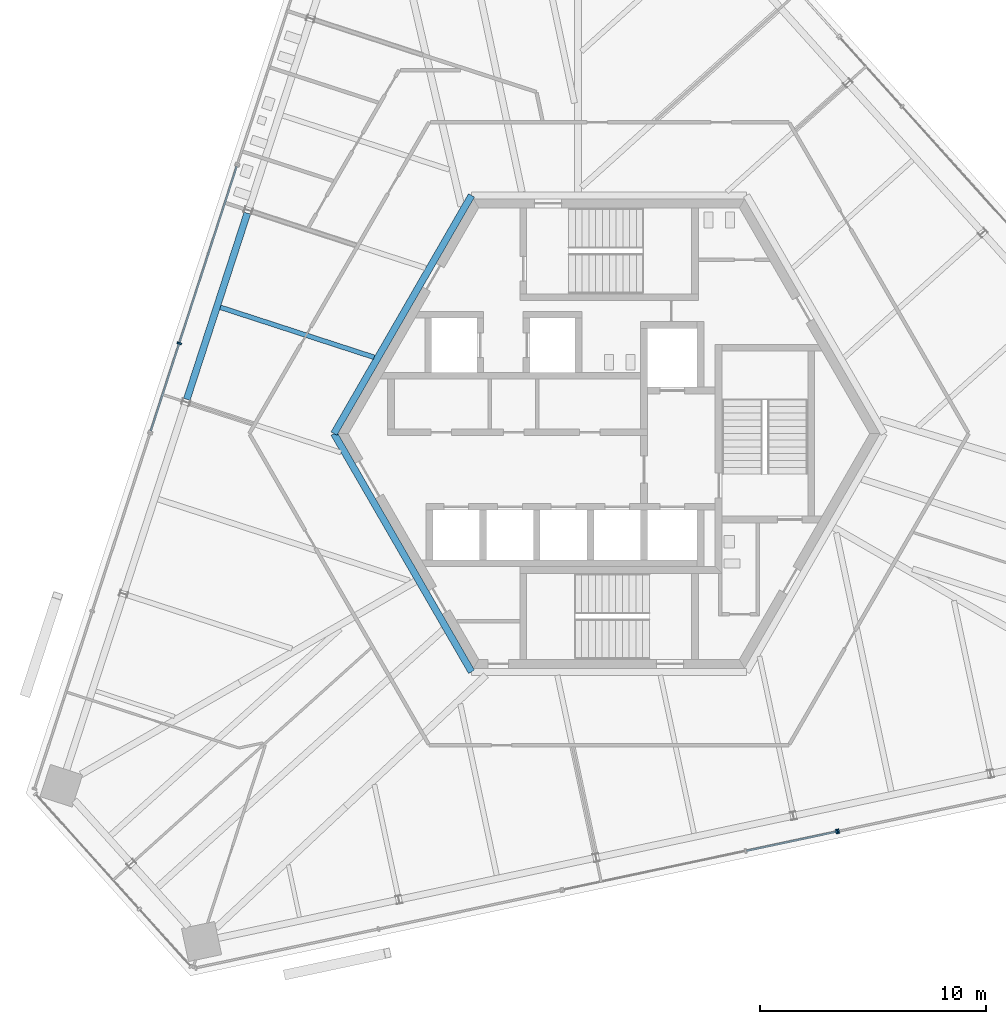
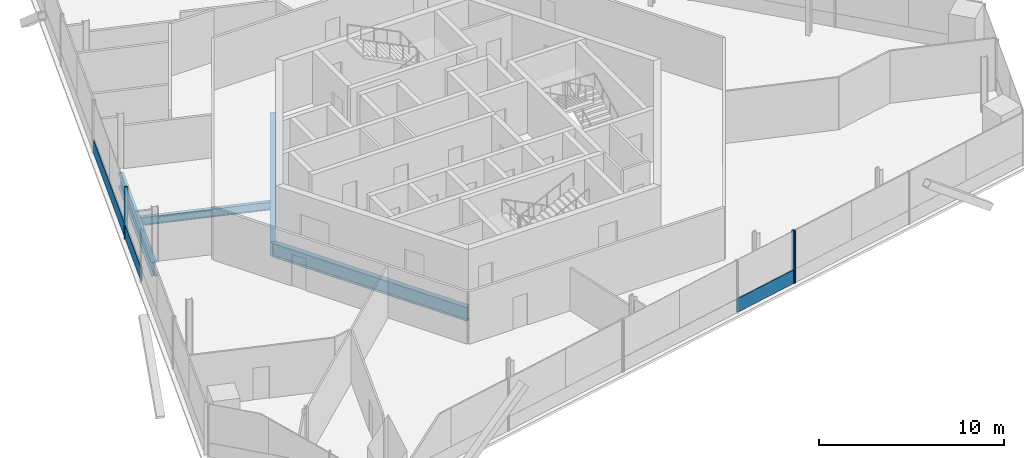
# One storey, part 5 of 14: 6 members, 4 beams, 3 elements without a shape of their own.
"""IFC4 building model written with IfcOpenShell, lengths in metres."""

import ifcopenshell
import ifcopenshell.guid

model = None  # the IFC model being written
_history = None  # IfcOwnerHistory: only IFC2X3 demands one
_inside = {}  # id of a spatial element -> (the spatial element, [elements in it])
_under = {}  # id of a project, library or spatial element -> (it, [spatial elements below it])
_declared = {}  # id of a project -> (the project, [libraries it declares])
_typed = {}  # id of a type object -> (the type object, [elements of that type])
_made_of = {}  # id of a material, layer set ... -> (it, [elements and type objects made of it])


def new_model(schema):
    """Start an empty IFC model of exactly this schema.

    Asked for "IFC4X3", IfcOpenShell would pick the latest addendum, in which some entities
    have other attributes; the version numbers below select the first issue.
    IFC2X3 requires an IfcOwnerHistory on every rooted entity: one is made here for all.
    """
    global model, _history
    if schema == "IFC4X3":
        model = ifcopenshell.file(schema_version=(4, 3, 0, 0))
    else:
        model = ifcopenshell.file(schema=schema)
    _inside.clear()
    _under.clear()
    _declared.clear()
    _typed.clear()
    _made_of.clear()
    _history = None
    if model.schema == "IFC2X3":
        org = make("IfcOrganization", Name="unknown")
        user = make(
            "IfcPersonAndOrganization",
            ThePerson=make("IfcPerson", FamilyName="unknown"),
            TheOrganization=org,
        )
        app = make(
            "IfcApplication",
            ApplicationDeveloper=org,
            Version="unknown",
            ApplicationFullName="unknown",
            ApplicationIdentifier="unknown",
        )
        _history = make(
            "IfcOwnerHistory",
            OwningUser=user,
            OwningApplication=app,
            ChangeAction="ADDED",
            CreationDate=0,
        )
    return model


def make(cls, **values):
    """One entity of the class cls with the attributes given. An attribute that is None is left unset."""
    return model.create_entity(
        cls, **{name: value for name, value in values.items() if value is not None}
    )


def rooted(cls, **values):
    """An entity with a GlobalId (a new one), such as an element, a storey or a relation."""
    return make(cls, GlobalId=ifcopenshell.guid.new(), OwnerHistory=_history, **values)


def si_unit(unit_type, name, prefix=None):
    """IfcSIUnit, for example si_unit("LENGTHUNIT", "METRE", prefix="MILLI")."""
    return make("IfcSIUnit", UnitType=unit_type, Prefix=prefix, Name=name)


def assignment(units):
    """IfcUnitAssignment: the units of a project."""
    return None if units is None else make("IfcUnitAssignment", Units=units)


def point(xyz):
    """IfcCartesianPoint."""
    return None if xyz is None else make("IfcCartesianPoint", Coordinates=xyz)


def direction(xyz):
    """IfcDirection."""
    return None if xyz is None else make("IfcDirection", DirectionRatios=xyz)


def frame(location, z_axis=None, x_axis=None):
    """IfcAxis2Placement3D, a coordinate frame: its origin and axes. An axis left out is left unset."""
    return make(
        "IfcAxis2Placement3D",
        Location=point(location),
        Axis=direction(z_axis),
        RefDirection=direction(x_axis),
    )


def frame_2d(location, x_axis=None):
    """IfcAxis2Placement2D, a coordinate frame in the plane: its origin and x axis."""
    return make(
        "IfcAxis2Placement2D", Location=point(location), RefDirection=direction(x_axis)
    )


def origin():
    """The frame at (0, 0, 0) with its axes left unset."""
    return frame((0.0, 0.0, 0.0))


def origin_2d():
    """The frame at (0, 0) in the plane with its x axis left unset."""
    return frame_2d((0.0, 0.0))


def place(relative_to, where):
    """IfcLocalPlacement: puts the frame where relative to a parent placement (None: the world)."""
    return make(
        "IfcLocalPlacement", PlacementRelTo=relative_to, RelativePlacement=where
    )


def context(
    kind, dimensions, precision=None, world=None, true_north=None, identifier=None
):
    """IfcGeometricRepresentationContext, for example the 3D "Model" context."""
    return make(
        "IfcGeometricRepresentationContext",
        ContextIdentifier=identifier,
        ContextType=kind,
        CoordinateSpaceDimension=dimensions,
        Precision=precision,
        WorldCoordinateSystem=world,
        TrueNorth=true_north,
    )


def subcontext(parent, identifier, kind, view, scale=None):
    """IfcGeometricRepresentationSubContext, for example "Body" below "Model"."""
    return make(
        "IfcGeometricRepresentationSubContext",
        ContextIdentifier=identifier,
        ContextType=kind,
        ParentContext=parent,
        TargetScale=scale,
        TargetView=view,
    )


def project(units=None, contexts=None):
    """IfcProject with its units and contexts."""
    return rooted(
        "IfcProject",
        Name="project",
        RepresentationContexts=contexts,
        UnitsInContext=assignment(units),
    )


def spatial(cls, under=None, at=None, **own):
    """A site, building, storey or space (cls), placed at a placement, below another one or the project."""
    s = rooted(cls, ObjectPlacement=at, **own)
    if under is not None:
        _under.setdefault(under.id(), (under, []))[1].append(s)
    return s


def profile(cls, at=None, kind="AREA", **sizes):
    """A parametric profile (cls). Its sizes go by their IFC names, for example OverallWidth=200.0."""
    return make(cls, ProfileType=kind, Position=at, **sizes)


def rectangle(**sizes):
    """IfcRectangleProfileDef."""
    return profile("IfcRectangleProfileDef", **sizes)


def i_section(**sizes):
    """IfcIShapeProfileDef."""
    return profile("IfcIShapeProfileDef", **sizes)


def extrude(swept, where, along, depth):
    """IfcExtrudedAreaSolid: the profile swept, set in the frame where, extruded along a direction by depth."""
    return make(
        "IfcExtrudedAreaSolid",
        SweptArea=swept,
        Position=where,
        ExtrudedDirection=direction(along),
        Depth=depth,
    )


def shape(context_of_items, identifier, shape_type, items):
    """IfcShapeRepresentation: the items that make up one representation, for example the "Body"."""
    return make(
        "IfcShapeRepresentation",
        ContextOfItems=context_of_items,
        RepresentationIdentifier=identifier,
        RepresentationType=shape_type,
        Items=items,
    )


def source(mapping_origin, context_of_items, identifier, shape_type, items):
    """IfcRepresentationMap: a shape defined once, which mapped items show again and again."""
    return make(
        "IfcRepresentationMap",
        MappingOrigin=mapping_origin,
        MappedRepresentation=shape(context_of_items, identifier, shape_type, items),
    )


def transform(
    local_origin,
    x_axis=None,
    y_axis=None,
    z_axis=None,
    scale=None,
    scale2=None,
    scale3=None,
    uniform=True,
):
    """IfcCartesianTransformationOperator3D, or its non-uniform kind. x_axis, y_axis, z_axis: its Axis1, 2, 3."""
    if uniform:
        return make(
            "IfcCartesianTransformationOperator3D",
            Axis1=direction(x_axis),
            Axis2=direction(y_axis),
            LocalOrigin=point(local_origin),
            Scale=scale,
            Axis3=direction(z_axis),
        )
    return make(
        "IfcCartesianTransformationOperator3DnonUniform",
        Axis1=direction(x_axis),
        Axis2=direction(y_axis),
        LocalOrigin=point(local_origin),
        Scale=scale,
        Axis3=direction(z_axis),
        Scale2=scale2,
        Scale3=scale3,
    )


def mapped(mapping_source, mapping_target):
    """IfcMappedItem: shows the shape of a source again, moved by a transform."""
    return make(
        "IfcMappedItem", MappingSource=mapping_source, MappingTarget=mapping_target
    )


def material(Name=None, Category=None):
    """IfcMaterial."""
    return make("IfcMaterial", Name=Name, Category=Category)


def material_profile(
    of_material, cross_section, Name=None, Category=None, Priority=None
):
    """IfcMaterialProfile: a cross section and its material."""
    return make(
        "IfcMaterialProfile",
        Name=Name,
        Material=of_material,
        Profile=cross_section,
        Priority=Priority,
        Category=Category,
    )


def profile_set(profiles, Name=None, composite=None):
    """IfcMaterialProfileSet."""
    return make(
        "IfcMaterialProfileSet",
        Name=Name,
        MaterialProfiles=profiles,
        CompositeProfile=composite,
    )


def made_of(thing, what):
    """Note that an element or type object is made of a material, layer set ...; save() writes the relation."""
    if what is not None:
        _made_of.setdefault(what.id(), (what, []))[1].append(thing)
    return thing


def type_object(cls, material=None, **own):
    """A type object (cls), such as IfcWallType, which elements share."""
    return made_of(rooted(cls, **own), material)


def element(
    cls,
    number,
    at=None,
    inside=None,
    cuts=None,
    type_object=None,
    material=None,
    context=None,
    identifier="Body",
    shape_type=None,
    held_by="IfcProductDefinitionShape",
    body=None,
    shapes=None,
    **own,
):
    """One element of the class cls, such as IfcWall. Its Tag is "e" and its number.

    at: its placement. inside: the storey or other place that contains it. cuts: it is an
    opening in that element (IfcRelVoidsElement). A single representation is given by context,
    identifier, shape_type and body (its items); several are given by shapes. held_by: the class
    of the entity that holds the representations. save() writes the other relations.
    """
    e = rooted(cls, Tag="e%d" % number, ObjectPlacement=at, **own)
    if body is not None:
        shapes = [shape(context, identifier, shape_type, body)]
    if shapes is not None:
        e.Representation = make(held_by, Representations=shapes)
    if inside is not None:
        _inside.setdefault(inside.id(), (inside, []))[1].append(e)
    if cuts is not None:
        rooted(
            "IfcRelVoidsElement", RelatingBuildingElement=cuts, RelatedOpeningElement=e
        )
    if type_object is not None:
        _typed.setdefault(type_object.id(), (type_object, []))[1].append(e)
    return made_of(e, material)


def aggregate(whole, parts):
    """IfcRelAggregates: a whole, such as a stair, and the parts it consists of."""
    return rooted("IfcRelAggregates", RelatingObject=whole, RelatedObjects=parts)


def save(model, path):
    """Write the relations noted so far, then the file.

    IfcRelAggregates (storeys below a building ...), IfcRelContainedInSpatialStructure (elements
    in a storey), IfcRelDefinesByType, IfcRelAssociatesMaterial and IfcRelDeclares: one each for
    every whole, place, type object, material and project.
    """
    for whole, parts in _under.values():
        aggregate(whole, parts)
    for where, things in _inside.values():
        rooted(
            "IfcRelContainedInSpatialStructure",
            RelatedElements=things,
            RelatingStructure=where,
        )
    for kind, things in _typed.values():
        rooted("IfcRelDefinesByType", RelatedObjects=things, RelatingType=kind)
    for what, things in _made_of.values():
        rooted("IfcRelAssociatesMaterial", RelatedObjects=things, RelatingMaterial=what)
    for by, libraries in _declared.values():
        rooted("IfcRelDeclares", RelatingContext=by, RelatedDefinitions=libraries)
    model.write(path)


model = new_model("IFC4")

# Units and contexts
model_context = context("Model", 3, precision=1e-05, world=origin(), true_north=direction((0.0, 1.0)))
body_context = subcontext(model_context, "Body", "Model", "MODEL_VIEW")
ifc_project = project(units=[si_unit("LENGTHUNIT", "METRE"), si_unit("AREAUNIT", "SQUARE_METRE"), si_unit("VOLUMEUNIT", "CUBIC_METRE"), si_unit("PLANEANGLEUNIT", "RADIAN"), si_unit("MASSUNIT", "GRAM", prefix="KILO")], contexts=[model_context])

# Site, building, storey
site_placement = place(None, origin())
site = spatial("IfcSite", under=ifc_project, at=site_placement, CompositionType="ELEMENT")
building_placement = place(site_placement, origin())
building = spatial("IfcBuilding", under=site, at=building_placement, Name="Triune Harvest Tower", CompositionType="ELEMENT")
storey_placement = place(building_placement, frame((0.0, 0.0, 263.10009765625)))
storey = spatial("IfcBuildingStorey", under=building, at=storey_placement, Name="L69", CompositionType="ELEMENT", Elevation=263.10009765625)

# Beams
ifc_material_1 = material(Name="Steel ASTM A992 Gr 50", Category="steel")
ifc_material_profile_1 = material_profile(ifc_material_1, i_section(OverallWidth=0.3046875, OverallDepth=0.914306640625, WebThickness=0.0166015625, FlangeThickness=0.02587890625, at=origin_2d()), Name="W36x160")
ifc_profile_set_1 = profile_set([ifc_material_profile_1], Name="Steel ASTM A992 Gr 50")
beam_type_1 = type_object("IfcBeamType", Name="CG-1 Core ring girder W36x160", PredefinedType="BEAM", material=ifc_profile_set_1)
shared_shape_1 = source(origin(), body_context, "Body", "SweptSolid", [
    extrude(i_section(OverallWidth=0.3046875, OverallDepth=0.914306640625, WebThickness=0.0166015625, FlangeThickness=0.02587890625, at=origin_2d()), origin(), (0.0, 0.0, 1.0), 12.176025390625),
])
for number, where, z_axis, x_axis, name in (
    (1, (-6.087890625, 10.544677734375, -0.6171875), (-0.5000099932, -0.866019634131, 0.0), (0.866019634131, -0.5000099932, 0.0), "beam/L69/CG3"),
    (2, (-12.176025390625, 0.0, -0.6171875), (0.5000099932, -0.866019634131, 0.0), (0.866019634131, 0.5000099932, 0.0), "beam/L69/CG4"),
):
    element("IfcBeam", number, at=place(storey_placement, frame(where, z_axis=z_axis, x_axis=x_axis)), inside=storey, type_object=beam_type_1, Name=name, PredefinedType="BEAM", context=body_context, shape_type="MappedRepresentation", body=[
        mapped(shared_shape_1, transform((0.0, 0.0, 0.0), scale=1.0)),
    ])
ifc_material_2 = material(Name="Steel ASTM A992 Gr 50", Category="steel")
ifc_material_profile_2 = material_profile(ifc_material_2, i_section(OverallWidth=0.3046875, OverallDepth=0.914306640625, WebThickness=0.0166015625, FlangeThickness=0.02587890625, at=origin_2d()), Name="W36x160")
ifc_profile_set_2 = profile_set([ifc_material_profile_2], Name="Steel ASTM A992 Gr 50")
beam_type_2 = type_object("IfcBeamType", Name="SB-1 Spandrel beam W36x160", PredefinedType="SPANDREL", material=ifc_profile_set_2)
shared_shape_2 = source(origin(), body_context, "Body", "SweptSolid", [
    extrude(i_section(OverallWidth=0.3046875, OverallDepth=0.914306640625, WebThickness=0.0166015625, FlangeThickness=0.02587890625, at=origin_2d()), origin(), (0.0, 0.0, 1.0), 8.67138671875),
])
beam_1_placement = place(storey_placement, frame((-16.011474609375, 9.76123046875, -0.6171875), z_axis=(-0.309030684676, -0.951052067938, 0.0), x_axis=(0.951052067938, -0.309030684676, 0.0)))
element("IfcBeam", 3, at=beam_1_placement, inside=storey, type_object=beam_type_2, Name="beam/L69/SB10", PredefinedType="SPANDREL", context=body_context, shape_type="MappedRepresentation", body=[
    mapped(shared_shape_2, transform((0.0, 0.0, 0.0), scale=1.0)),
])
ifc_material_3 = material(Name="Steel ASTM A992 Gr 50", Category="steel")
ifc_material_profile_3 = material_profile(ifc_material_3, i_section(OverallWidth=0.2099609375, OverallDepth=0.535888671875, WebThickness=0.010986328125, FlangeThickness=0.017333984375, at=origin_2d()), Name="W21x68")
ifc_profile_set_3 = profile_set([ifc_material_profile_3], Name="Steel ASTM A992 Gr 50")
beam_type_3 = type_object("IfcBeamType", Name="JT-2 Floor joist W21x68", PredefinedType="JOIST", material=ifc_profile_set_3)
shared_shape_3 = source(origin(), body_context, "Body", "SweptSolid", [
    extrude(i_section(OverallWidth=0.2099609375, OverallDepth=0.535888671875, WebThickness=0.010986328125, FlangeThickness=0.017333984375, at=origin_2d()), origin(), (0.0, 0.0, 1.0), 7.15576171875),
])
beam_2_placement = place(storey_placement, frame((-17.206298828125, 5.5908203125, -0.427978515625), z_axis=(0.95104785783, -0.30904364112, 0.0), x_axis=(0.30904364112, 0.95104785783, 0.0)))
element("IfcBeam", 4, at=beam_2_placement, inside=storey, type_object=beam_type_3, Name="beam/L69/JT16", PredefinedType="JOIST", context=body_context, shape_type="MappedRepresentation", body=[
    mapped(shared_shape_3, transform((0.0, 0.0, 0.0), scale=1.0)),
])

# Curtain wall, member
ifc_material_4 = material(Name="Aluminium bronze anodised", Category="aluminium")
curtain_wall_type_1 = type_object("IfcCurtainWallType", Name="CW-1 Tower stick curtain wall", PredefinedType="NOTDEFINED", material=ifc_material_4)
curtain_wall_1_placement = place(storey_placement, origin())
curtain_wall_1 = element("IfcCurtainWall", 5, at=curtain_wall_1_placement, inside=storey, type_object=curtain_wall_type_1, Name="CW-1 B7-F3 L69 run 1001")
ifc_material_5 = material(Name="Aluminium bronze anodised", Category="aluminium")
ifc_material_profile_4 = material_profile(ifc_material_5, rectangle(XDim=0.199951171875, YDim=0.074951171875, at=origin_2d()), Name="MU-1 mullion 75 x 200")
ifc_profile_set_4 = profile_set([ifc_material_profile_4], Name="Aluminium bronze anodised")
member_type_1 = type_object("IfcMemberType", Name="MU-1 mullion 75 x 200", PredefinedType="MULLION", material=ifc_profile_set_4)
shared_shape_4 = source(origin(), body_context, "Body", "SweptSolid", [
    extrude(rectangle(XDim=0.199951171875, YDim=0.074951171875, at=origin_2d()), origin(), (0.0, 0.0, 1.0), 3.43994140625),
])
member_1_placement = place(storey_placement, frame((-19.02587890625, 3.9970703125, 0.0), z_axis=(0.0, 0.0, 1.0), x_axis=(0.951054284615, -0.309023862696, 0.0)))
member_1 = element("IfcMember", 6, at=member_1_placement, type_object=member_type_1, Name="CW-1 mullion B7-F3 1001.3", PredefinedType="MULLION", context=body_context, shape_type="MappedRepresentation", body=[
    mapped(shared_shape_4, transform((0.0, 0.0, 0.0), scale=1.0)),
])

curtain_wall_2_placement = place(storey_placement, origin())
curtain_wall_2 = element("IfcCurtainWall", 7, at=curtain_wall_2_placement, inside=storey, type_object=curtain_wall_type_1, Name="CW-1 B7-F5 L69 run 1001")
member_2_placement = place(storey_placement, frame((10.079833984375, -17.619140625, 0.0), z_axis=(0.0, 0.0, 1.0), x_axis=(-0.207917272266, 0.978146414344, 0.0)))
member_2 = element("IfcMember", 8, at=member_2_placement, type_object=member_type_1, Name="CW-1 mullion B7-F5 1001.4", PredefinedType="MULLION", context=body_context, shape_type="MappedRepresentation", body=[
    mapped(shared_shape_4, transform((0.0, 0.0, 0.0), scale=1.0)),
])

ifc_material_6 = material(Name="Aluminium bronze anodised", Category="aluminium")
curtain_wall_type_2 = type_object("IfcCurtainWallType", Name="CW-7 Tower stick curtain wall with insulated spandrel infill", PredefinedType="NOTDEFINED", material=ifc_material_6)
curtain_wall_3_placement = place(storey_placement, origin())
curtain_wall_3 = element("IfcCurtainWall", 9, at=curtain_wall_3_placement, inside=storey, type_object=curtain_wall_type_2, Name="CW-7 B7-F5 L69 run 2001")
member_3_placement = place(storey_placement, frame((10.153076171875, -17.603515625, 0.0), z_axis=(0.0, 0.0, 1.0), x_axis=(-0.2079086203, 0.978148253388, 0.0)))
member_3 = element("IfcMember", 10, at=member_3_placement, type_object=member_type_1, Name="CW-7 mullion B7-F5 2001.1", PredefinedType="MULLION", context=body_context, shape_type="MappedRepresentation", body=[
    mapped(shared_shape_4, transform((0.0, 0.0, 0.0), scale=1.0)),
])
aggregate(curtain_wall_3, [member_3])

# Member
ifc_material_7 = material(Name="Aluminium bronze anodised", Category="aluminium")
ifc_material_profile_5 = material_profile(ifc_material_7, rectangle(XDim=0.090087890625, YDim=0.89990234375, at=origin_2d()), Name="TR-1 transom 90 x 900")
ifc_profile_set_5 = profile_set([ifc_material_profile_5], Name="Aluminium bronze anodised")
member_type_2 = type_object("IfcMemberType", Name="TR-1 transom 90 x 900", PredefinedType="USERDEFINED", material=ifc_profile_set_5)
shared_shape_5 = source(origin(), body_context, "Body", "SweptSolid", [
    extrude(rectangle(XDim=0.090087890625, YDim=0.89990234375, at=origin_2d()), origin(), (0.0, 0.0, 1.0), 4.043212890625),
])
member_4_placement = place(storey_placement, frame((6.088134765625, -18.4677734375, 0.449951171875), z_axis=(0.978137821682, 0.207957692319, 0.0), x_axis=(-0.207957692319, 0.978137821682, 0.0)))
member_4 = element("IfcMember", 11, at=member_4_placement, type_object=member_type_2, Name="CW-1 transom B7-F5 1001.2", ObjectType="TRANSOM", PredefinedType="USERDEFINED", context=body_context, shape_type="MappedRepresentation", body=[
    mapped(shared_shape_5, transform((0.0, 0.0, 0.0), scale=1.0)),
])

aggregate(curtain_wall_2, [member_2, member_4])

shared_shape_6 = source(origin(), body_context, "Body", "SweptSolid", [
    extrude(rectangle(XDim=0.090087890625, YDim=0.89990234375, at=origin_2d()), origin(), (0.0, 0.0, 1.0), 8.19921875),
])
member_5_placement = place(storey_placement, frame((-16.480712890625, 11.83056640625, 0.449951171875), z_axis=(-0.309018742385, -0.951055948331, 0.0), x_axis=(0.951055948331, -0.309018742385, 0.0)))
member_5 = element("IfcMember", 12, at=member_5_placement, type_object=member_type_2, Name="CW-1 transom B7-F3 1001.1", ObjectType="TRANSOM", PredefinedType="USERDEFINED", context=body_context, shape_type="MappedRepresentation", body=[
    mapped(shared_shape_6, transform((0.0, 0.0, 0.0), scale=1.0)),
])

shared_shape_7 = source(origin(), body_context, "Body", "SweptSolid", [
    extrude(rectangle(XDim=0.090087890625, YDim=0.89990234375, at=origin_2d()), origin(), (0.0, 0.0, 1.0), 4.04345703125),
])
member_6_placement = place(storey_placement, frame((-19.03759765625, 3.96142578125, 0.449951171875), z_axis=(-0.309027363751, -0.951053147018, 0.0), x_axis=(0.951053147018, -0.309027363751, 0.0)))
member_6 = element("IfcMember", 13, at=member_6_placement, type_object=member_type_2, Name="CW-1 transom B7-F3 1001.2", ObjectType="TRANSOM", PredefinedType="USERDEFINED", context=body_context, shape_type="MappedRepresentation", body=[
    mapped(shared_shape_7, transform((0.0, 0.0, 0.0), scale=1.0)),
])

aggregate(curtain_wall_1, [member_1, member_5, member_6])

save(model, "model.ifc")
